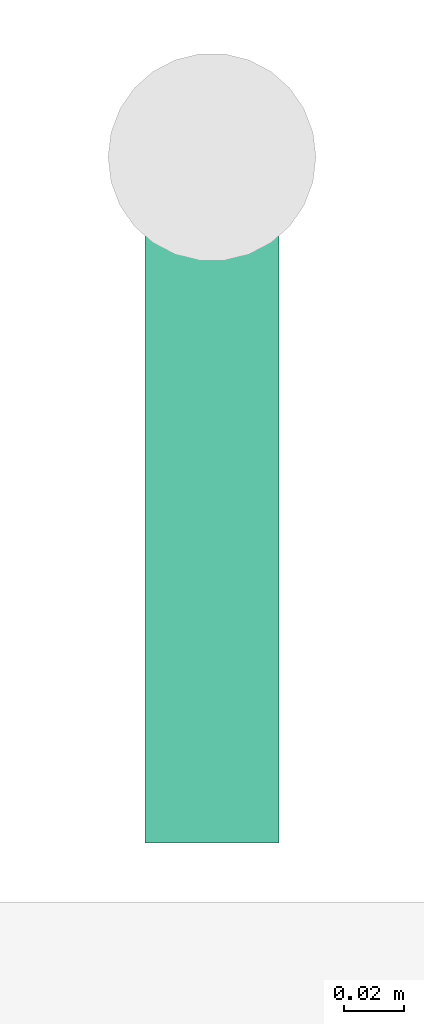
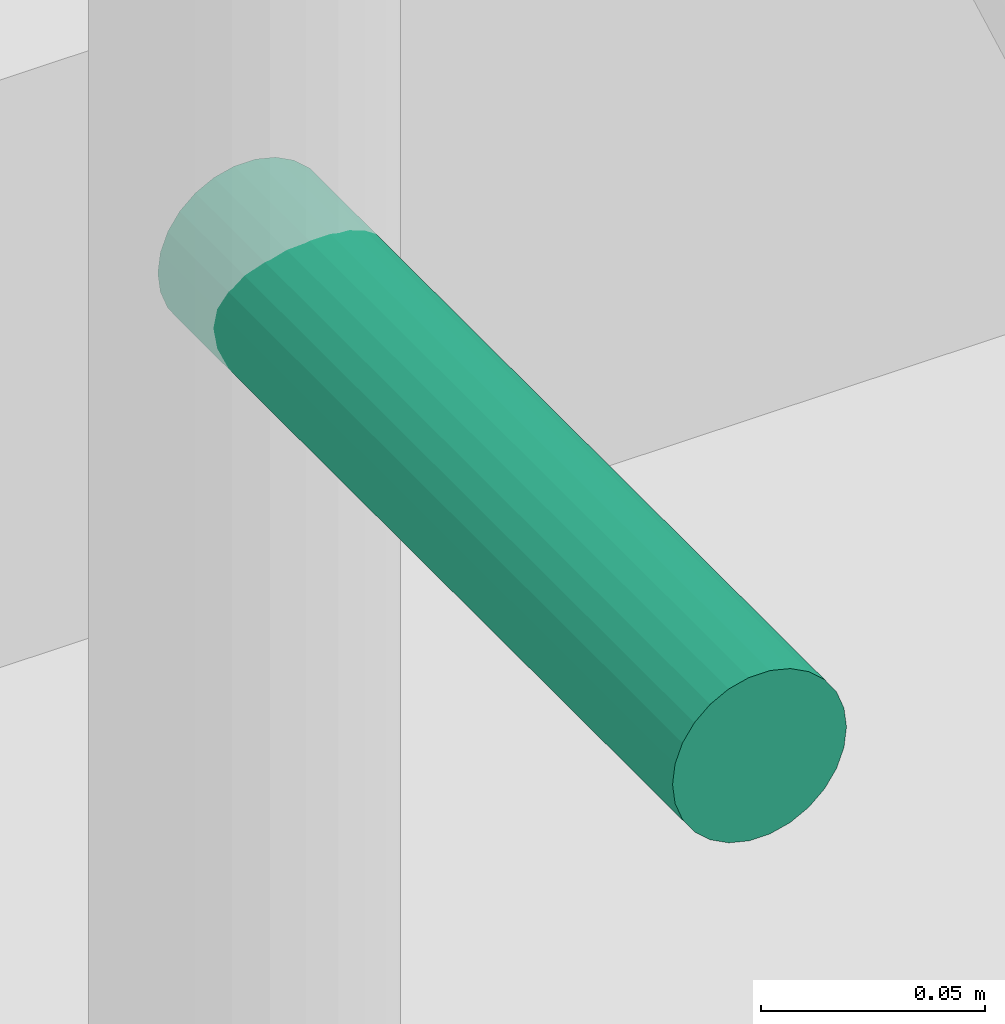
# One storey, part 33 of 33: 1 pipe fitting.
"""IFC4 building model written with IfcOpenShell, lengths in metres."""

from ifc_helpers import new_model, si_unit, direction, frame, origin, origin_2d, place, context, subcontext, project, spatial, circle, extrude, element, save


model = new_model("IFC4")

# Units and contexts
model_context = context("Model", 3, precision=1e-05, world=origin(), true_north=direction((0.0, 1.0)))
body_context = subcontext(model_context, "Body", "Model", "MODEL_VIEW")
ifc_project = project(units=[si_unit("LENGTHUNIT", "METRE"), si_unit("AREAUNIT", "SQUARE_METRE"), si_unit("VOLUMEUNIT", "CUBIC_METRE"), si_unit("PLANEANGLEUNIT", "RADIAN"), si_unit("MASSUNIT", "GRAM", prefix="KILO")], contexts=[model_context])

# Site, building, storey
site_placement = place(None, origin())
site = spatial("IfcSite", under=ifc_project, at=site_placement, CompositionType="ELEMENT")
building_placement = place(site_placement, origin())
building = spatial("IfcBuilding", under=site, at=building_placement, Name="Nzadi Deep Aquarium and Research Tower", CompositionType="ELEMENT")
storey_placement = place(building_placement, frame((0.0, 0.0, 6.5)))
storey = spatial("IfcBuildingStorey", under=building, at=storey_placement, Name="L01", CompositionType="ELEMENT", Elevation=6.5)

# Pipe fitting
pipe_fitting_placement = place(storey_placement, frame((55.300048828125, 116.360107421875, 1.10009765625), z_axis=(0.0, -1.0, 0.0), x_axis=(1.0, 0.0, 0.0)))
element("IfcPipeFitting", 1, at=pipe_fitting_placement, inside=storey, Name="Dry riser outlet ST-Z3-E L01", PredefinedType="EXIT", context=body_context, shape_type="SweptSolid", body=[
    extrude(circle(Radius=0.0224609375, at=origin_2d()), origin(), (0.0, 0.0, 1.0), 0.230224609375),
])

save(model, "model.ifc")
